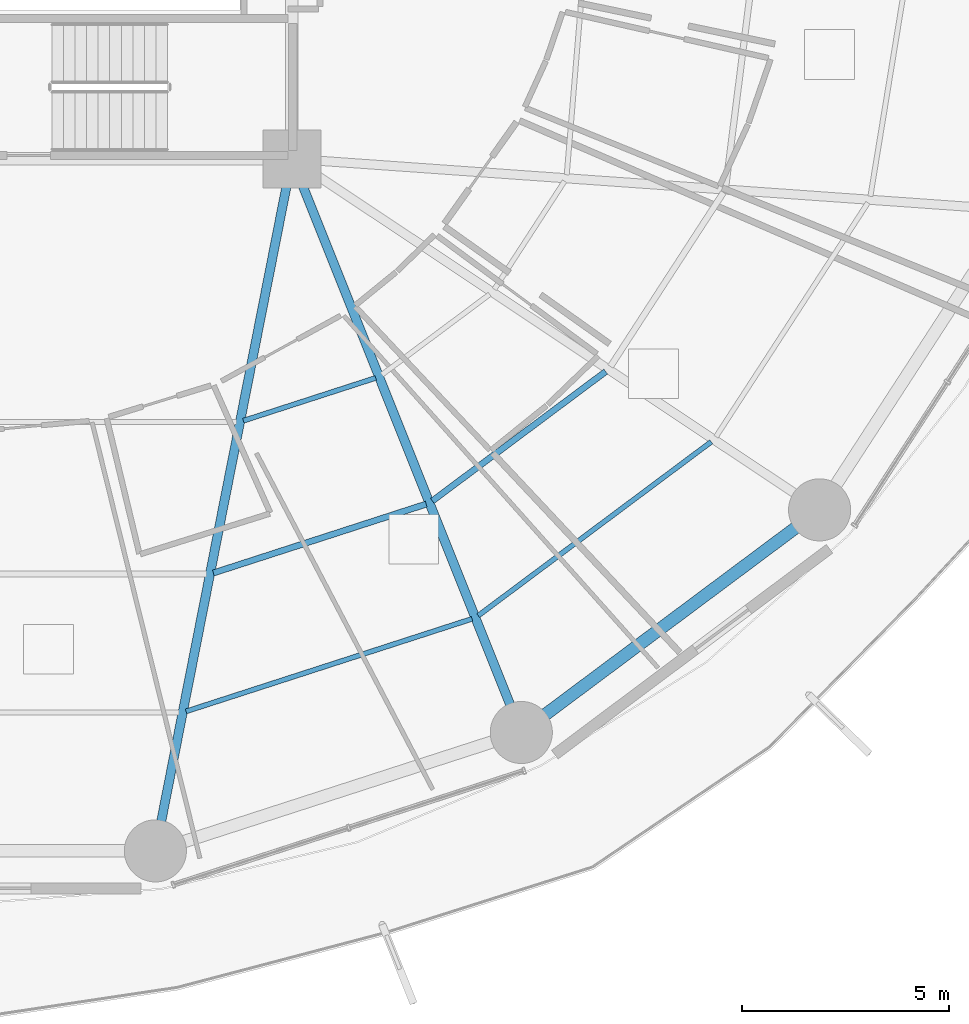
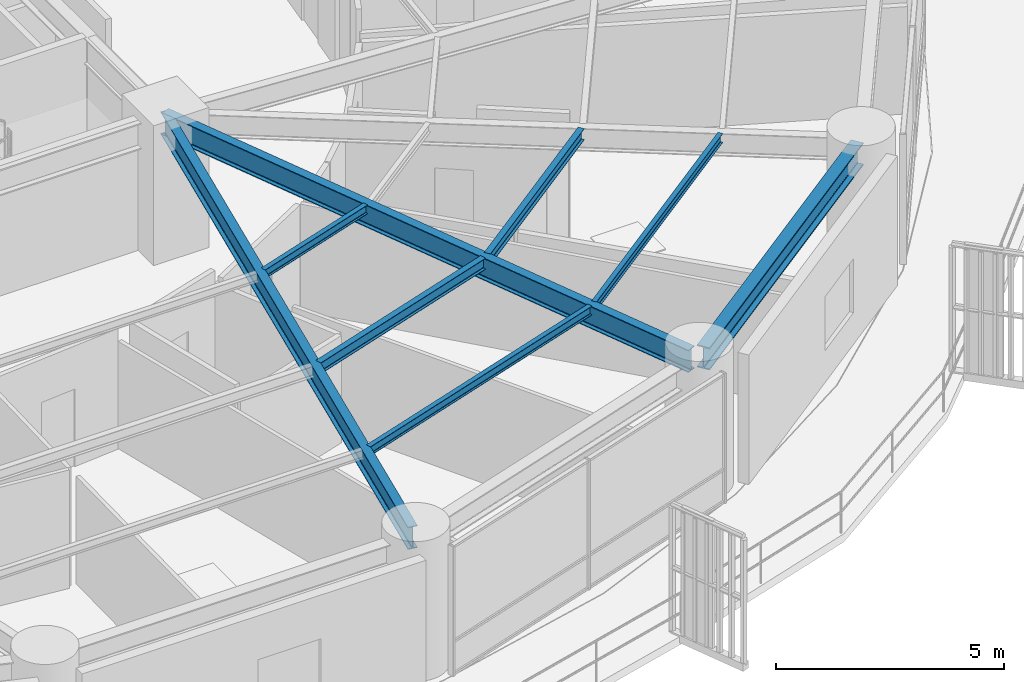
# One storey, part 9 of 33: 8 beams.
"""IFC4 building model written with IfcOpenShell, lengths in metres."""

import ifcopenshell
import ifcopenshell.guid

model = None  # the IFC model being written
_history = None  # IfcOwnerHistory: only IFC2X3 demands one
_inside = {}  # id of a spatial element -> (the spatial element, [elements in it])
_under = {}  # id of a project, library or spatial element -> (it, [spatial elements below it])
_declared = {}  # id of a project -> (the project, [libraries it declares])
_typed = {}  # id of a type object -> (the type object, [elements of that type])
_made_of = {}  # id of a material, layer set ... -> (it, [elements and type objects made of it])


def new_model(schema):
    """Start an empty IFC model of exactly this schema.

    Asked for "IFC4X3", IfcOpenShell would pick the latest addendum, in which some entities
    have other attributes; the version numbers below select the first issue.
    IFC2X3 requires an IfcOwnerHistory on every rooted entity: one is made here for all.
    """
    global model, _history
    if schema == "IFC4X3":
        model = ifcopenshell.file(schema_version=(4, 3, 0, 0))
    else:
        model = ifcopenshell.file(schema=schema)
    _inside.clear()
    _under.clear()
    _declared.clear()
    _typed.clear()
    _made_of.clear()
    _history = None
    if model.schema == "IFC2X3":
        org = make("IfcOrganization", Name="unknown")
        user = make(
            "IfcPersonAndOrganization",
            ThePerson=make("IfcPerson", FamilyName="unknown"),
            TheOrganization=org,
        )
        app = make(
            "IfcApplication",
            ApplicationDeveloper=org,
            Version="unknown",
            ApplicationFullName="unknown",
            ApplicationIdentifier="unknown",
        )
        _history = make(
            "IfcOwnerHistory",
            OwningUser=user,
            OwningApplication=app,
            ChangeAction="ADDED",
            CreationDate=0,
        )
    return model


def make(cls, **values):
    """One entity of the class cls with the attributes given. An attribute that is None is left unset."""
    return model.create_entity(
        cls, **{name: value for name, value in values.items() if value is not None}
    )


def rooted(cls, **values):
    """An entity with a GlobalId (a new one), such as an element, a storey or a relation."""
    return make(cls, GlobalId=ifcopenshell.guid.new(), OwnerHistory=_history, **values)


def si_unit(unit_type, name, prefix=None):
    """IfcSIUnit, for example si_unit("LENGTHUNIT", "METRE", prefix="MILLI")."""
    return make("IfcSIUnit", UnitType=unit_type, Prefix=prefix, Name=name)


def assignment(units):
    """IfcUnitAssignment: the units of a project."""
    return None if units is None else make("IfcUnitAssignment", Units=units)


def point(xyz):
    """IfcCartesianPoint."""
    return None if xyz is None else make("IfcCartesianPoint", Coordinates=xyz)


def direction(xyz):
    """IfcDirection."""
    return None if xyz is None else make("IfcDirection", DirectionRatios=xyz)


def frame(location, z_axis=None, x_axis=None):
    """IfcAxis2Placement3D, a coordinate frame: its origin and axes. An axis left out is left unset."""
    return make(
        "IfcAxis2Placement3D",
        Location=point(location),
        Axis=direction(z_axis),
        RefDirection=direction(x_axis),
    )


def frame_2d(location, x_axis=None):
    """IfcAxis2Placement2D, a coordinate frame in the plane: its origin and x axis."""
    return make(
        "IfcAxis2Placement2D", Location=point(location), RefDirection=direction(x_axis)
    )


def origin():
    """The frame at (0, 0, 0) with its axes left unset."""
    return frame((0.0, 0.0, 0.0))


def origin_2d():
    """The frame at (0, 0) in the plane with its x axis left unset."""
    return frame_2d((0.0, 0.0))


def place(relative_to, where):
    """IfcLocalPlacement: puts the frame where relative to a parent placement (None: the world)."""
    return make(
        "IfcLocalPlacement", PlacementRelTo=relative_to, RelativePlacement=where
    )


def context(
    kind, dimensions, precision=None, world=None, true_north=None, identifier=None
):
    """IfcGeometricRepresentationContext, for example the 3D "Model" context."""
    return make(
        "IfcGeometricRepresentationContext",
        ContextIdentifier=identifier,
        ContextType=kind,
        CoordinateSpaceDimension=dimensions,
        Precision=precision,
        WorldCoordinateSystem=world,
        TrueNorth=true_north,
    )


def subcontext(parent, identifier, kind, view, scale=None):
    """IfcGeometricRepresentationSubContext, for example "Body" below "Model"."""
    return make(
        "IfcGeometricRepresentationSubContext",
        ContextIdentifier=identifier,
        ContextType=kind,
        ParentContext=parent,
        TargetScale=scale,
        TargetView=view,
    )


def project(units=None, contexts=None):
    """IfcProject with its units and contexts."""
    return rooted(
        "IfcProject",
        Name="project",
        RepresentationContexts=contexts,
        UnitsInContext=assignment(units),
    )


def spatial(cls, under=None, at=None, **own):
    """A site, building, storey or space (cls), placed at a placement, below another one or the project."""
    s = rooted(cls, ObjectPlacement=at, **own)
    if under is not None:
        _under.setdefault(under.id(), (under, []))[1].append(s)
    return s


def profile(cls, at=None, kind="AREA", **sizes):
    """A parametric profile (cls). Its sizes go by their IFC names, for example OverallWidth=200.0."""
    return make(cls, ProfileType=kind, Position=at, **sizes)


def i_section(**sizes):
    """IfcIShapeProfileDef."""
    return profile("IfcIShapeProfileDef", **sizes)


def extrude(swept, where, along, depth):
    """IfcExtrudedAreaSolid: the profile swept, set in the frame where, extruded along a direction by depth."""
    return make(
        "IfcExtrudedAreaSolid",
        SweptArea=swept,
        Position=where,
        ExtrudedDirection=direction(along),
        Depth=depth,
    )


def shape(context_of_items, identifier, shape_type, items):
    """IfcShapeRepresentation: the items that make up one representation, for example the "Body"."""
    return make(
        "IfcShapeRepresentation",
        ContextOfItems=context_of_items,
        RepresentationIdentifier=identifier,
        RepresentationType=shape_type,
        Items=items,
    )


def material(Name=None, Category=None):
    """IfcMaterial."""
    return make("IfcMaterial", Name=Name, Category=Category)


def material_profile(
    of_material, cross_section, Name=None, Category=None, Priority=None
):
    """IfcMaterialProfile: a cross section and its material."""
    return make(
        "IfcMaterialProfile",
        Name=Name,
        Material=of_material,
        Profile=cross_section,
        Priority=Priority,
        Category=Category,
    )


def profile_set(profiles, Name=None, composite=None):
    """IfcMaterialProfileSet."""
    return make(
        "IfcMaterialProfileSet",
        Name=Name,
        MaterialProfiles=profiles,
        CompositeProfile=composite,
    )


def made_of(thing, what):
    """Note that an element or type object is made of a material, layer set ...; save() writes the relation."""
    if what is not None:
        _made_of.setdefault(what.id(), (what, []))[1].append(thing)
    return thing


def type_object(cls, material=None, **own):
    """A type object (cls), such as IfcWallType, which elements share."""
    return made_of(rooted(cls, **own), material)


def element(
    cls,
    number,
    at=None,
    inside=None,
    cuts=None,
    type_object=None,
    material=None,
    context=None,
    identifier="Body",
    shape_type=None,
    held_by="IfcProductDefinitionShape",
    body=None,
    shapes=None,
    **own,
):
    """One element of the class cls, such as IfcWall. Its Tag is "e" and its number.

    at: its placement. inside: the storey or other place that contains it. cuts: it is an
    opening in that element (IfcRelVoidsElement). A single representation is given by context,
    identifier, shape_type and body (its items); several are given by shapes. held_by: the class
    of the entity that holds the representations. save() writes the other relations.
    """
    e = rooted(cls, Tag="e%d" % number, ObjectPlacement=at, **own)
    if body is not None:
        shapes = [shape(context, identifier, shape_type, body)]
    if shapes is not None:
        e.Representation = make(held_by, Representations=shapes)
    if inside is not None:
        _inside.setdefault(inside.id(), (inside, []))[1].append(e)
    if cuts is not None:
        rooted(
            "IfcRelVoidsElement", RelatingBuildingElement=cuts, RelatedOpeningElement=e
        )
    if type_object is not None:
        _typed.setdefault(type_object.id(), (type_object, []))[1].append(e)
    return made_of(e, material)


def aggregate(whole, parts):
    """IfcRelAggregates: a whole, such as a stair, and the parts it consists of."""
    return rooted("IfcRelAggregates", RelatingObject=whole, RelatedObjects=parts)


def save(model, path):
    """Write the relations noted so far, then the file.

    IfcRelAggregates (storeys below a building ...), IfcRelContainedInSpatialStructure (elements
    in a storey), IfcRelDefinesByType, IfcRelAssociatesMaterial and IfcRelDeclares: one each for
    every whole, place, type object, material and project.
    """
    for whole, parts in _under.values():
        aggregate(whole, parts)
    for where, things in _inside.values():
        rooted(
            "IfcRelContainedInSpatialStructure",
            RelatedElements=things,
            RelatingStructure=where,
        )
    for kind, things in _typed.values():
        rooted("IfcRelDefinesByType", RelatedObjects=things, RelatingType=kind)
    for what, things in _made_of.values():
        rooted("IfcRelAssociatesMaterial", RelatedObjects=things, RelatingMaterial=what)
    for by, libraries in _declared.values():
        rooted("IfcRelDeclares", RelatingContext=by, RelatedDefinitions=libraries)
    model.write(path)


model = new_model("IFC4")

# Units and contexts
model_context = context("Model", 3, precision=1e-05, world=origin(), true_north=direction((0.0, 1.0)))
body_context = subcontext(model_context, "Body", "Model", "MODEL_VIEW")
ifc_project = project(units=[si_unit("LENGTHUNIT", "METRE"), si_unit("AREAUNIT", "SQUARE_METRE"), si_unit("VOLUMEUNIT", "CUBIC_METRE"), si_unit("PLANEANGLEUNIT", "RADIAN"), si_unit("MASSUNIT", "GRAM", prefix="KILO")], contexts=[model_context])

# Site, building, storey
site_placement = place(None, origin())
site = spatial("IfcSite", under=ifc_project, at=site_placement, CompositionType="ELEMENT")
building_placement = place(site_placement, origin())
building = spatial("IfcBuilding", under=site, at=building_placement, Name="Kelanora Arch Commons", CompositionType="ELEMENT")
storey_placement = place(building_placement, frame((0.0, 0.0, 26.25)))
storey = spatial("IfcBuildingStorey", under=building, at=storey_placement, Name="L06", CompositionType="ELEMENT", Elevation=26.25)

# Beams
ifc_material = material(Name="Steel S355", Category="steel")
ifc_material_profile_1 = material_profile(ifc_material, i_section(OverallWidth=0.14990234375, OverallDepth=0.300048828125, WebThickness=0.007080078125, FlangeThickness=0.0107421875, FilletRadius=0.014892578125, at=origin_2d()), Name="IPE300")
ifc_profile_set_1 = profile_set([ifc_material_profile_1], Name="Steel S355")
beam_type_1 = type_object("IfcBeamType", Name="BM-JST-01", PredefinedType="JOIST", material=ifc_profile_set_1)
beam_1_placement = place(storey_placement, frame((80.102294921875, 40.997802734375, 3.340087890625), z_axis=(0.951412209627, 0.307920131482, 0.0), x_axis=(-0.307920131482, 0.951412209627, 0.0)))
element("IfcBeam", 1, at=beam_1_placement, inside=storey, type_object=beam_type_1, Name="Secondary Chord Joist BJB-28 L06", PredefinedType="JOIST", context=body_context, shape_type="SweptSolid", body=[
    extrude(i_section(OverallWidth=0.14990234375, OverallDepth=0.300048828125, WebThickness=0.007080078125, FlangeThickness=0.0107421875, FilletRadius=0.014892578125, at=origin_2d()), origin(), (0.0, 0.0, 1.0), 5.4033203125),
])
beam_2_placement = place(storey_placement, frame((85.39208984375, 42.738525390625, 3.340087890625), z_axis=(0.801478251559, 0.598023922831, 0.0), x_axis=(-0.598023922831, 0.801478251559, 0.0)))
element("IfcBeam", 2, at=beam_2_placement, inside=storey, type_object=beam_type_1, Name="Secondary Chord Joist BJB-30 L06", PredefinedType="JOIST", context=body_context, shape_type="SweptSolid", body=[
    extrude(i_section(OverallWidth=0.14990234375, OverallDepth=0.300048828125, WebThickness=0.007080078125, FlangeThickness=0.0107421875, FilletRadius=0.014892578125, at=origin_2d()), origin(), (0.0, 0.0, 1.0), 5.223388671875),
])
ifc_material_profile_2 = material_profile(ifc_material, i_section(OverallWidth=0.1201171875, OverallDepth=0.239990234375, WebThickness=0.006103515625, FlangeThickness=0.009765625, FilletRadius=0.014892578125, at=origin_2d()), Name="IPE240")
ifc_profile_set_2 = profile_set([ifc_material_profile_2], Name="Steel S355")
beam_type_2 = type_object("IfcBeamType", Name="BM-JST-02", PredefinedType="JOIST", material=ifc_profile_set_2)
beam_3_placement = place(storey_placement, frame((80.827880859375, 44.6748046875, 3.3701171875), z_axis=(0.951422608074, 0.30788800049, 0.0), x_axis=(-0.30788800049, 0.951422608074, 0.0)))
element("IfcBeam", 3, at=beam_3_placement, inside=storey, type_object=beam_type_2, Name="Secondary Chord Joist BJA-28 L06", PredefinedType="JOIST", context=body_context, shape_type="SweptSolid", body=[
    extrude(i_section(OverallWidth=0.1201171875, OverallDepth=0.239990234375, WebThickness=0.006103515625, FlangeThickness=0.009765625, FilletRadius=0.014892578125, at=origin_2d()), origin(), (0.0, 0.0, 1.0), 3.359619140625),
])
beam_4_placement = place(storey_placement, frame((79.44287109375, 37.65478515625, 3.3701171875), z_axis=(0.951410915705, 0.307924129418, 0.0), x_axis=(-0.307924129418, 0.951410915705, 0.0)))
element("IfcBeam", 4, at=beam_4_placement, inside=storey, type_object=beam_type_2, Name="Secondary Chord Joist BJC-28 L06", PredefinedType="JOIST", context=body_context, shape_type="SweptSolid", body=[
    extrude(i_section(OverallWidth=0.1201171875, OverallDepth=0.239990234375, WebThickness=0.006103515625, FlangeThickness=0.009765625, FilletRadius=0.014892578125, at=origin_2d()), origin(), (0.0, 0.0, 1.0), 7.260986328125),
])
beam_5_placement = place(storey_placement, frame((86.5, 39.9677734375, 3.3701171875), z_axis=(0.80149131963, 0.598006408459, 0.0), x_axis=(-0.598006408459, 0.80149131963, 0.0)))
element("IfcBeam", 5, at=beam_5_placement, inside=storey, type_object=beam_type_2, Name="Secondary Chord Joist BJC-30 L06", PredefinedType="JOIST", context=body_context, shape_type="SweptSolid", body=[
    extrude(i_section(OverallWidth=0.1201171875, OverallDepth=0.239990234375, WebThickness=0.006103515625, FlangeThickness=0.009765625, FilletRadius=0.014892578125, at=origin_2d()), origin(), (0.0, 0.0, 1.0), 7.021240234375),
])
ifc_material_profile_3 = material_profile(ifc_material, i_section(OverallWidth=0.219970703125, OverallDepth=0.60009765625, WebThickness=0.011962890625, FlangeThickness=0.01904296875, FilletRadius=0.02392578125, at=origin_2d()), Name="IPE600")
ifc_profile_set_3 = profile_set([ifc_material_profile_3], Name="Steel S355")
beam_type_3 = type_object("IfcBeamType", Name="BM-RAD-Z1", PredefinedType="BEAM", material=ifc_profile_set_3)
beam_6_placement = place(storey_placement, frame((82.0, 51.0, 3.18994140625), z_axis=(-0.193555256292, -0.981089375522, 0.0), x_axis=(0.981089375522, -0.193555256292, 0.0)))
element("IfcBeam", 6, at=beam_6_placement, inside=storey, type_object=beam_type_3, Name="Radial Floor Girder BR-28 L06", PredefinedType="BEAM", context=body_context, shape_type="SweptSolid", body=[
    extrude(i_section(OverallWidth=0.219970703125, OverallDepth=0.60009765625, WebThickness=0.011962890625, FlangeThickness=0.01904296875, FilletRadius=0.02392578125, at=origin_2d()), origin(), (0.0, 0.0, 1.0), 16.81640625),
])
beam_7_placement = place(storey_placement, frame((82.0, 51.0, 3.18994140625), z_axis=(0.371296182896, -0.928514482691, 0.0), x_axis=(0.928514482691, 0.371296182896, 0.0)))
element("IfcBeam", 7, at=beam_7_placement, inside=storey, type_object=beam_type_3, Name="Radial Floor Girder BR-30 L06", PredefinedType="BEAM", context=body_context, shape_type="SweptSolid", body=[
    extrude(i_section(OverallWidth=0.219970703125, OverallDepth=0.60009765625, WebThickness=0.011962890625, FlangeThickness=0.01904296875, FilletRadius=0.02392578125, at=origin_2d()), origin(), (0.0, 0.0, 1.0), 14.700439453125),
])
ifc_material_profile_4 = material_profile(ifc_material, i_section(OverallWidth=0.300048828125, OverallDepth=0.60009765625, WebThickness=0.015380859375, FlangeThickness=0.030029296875, FilletRadius=0.027099609375, at=origin_2d()), Name="HEB600")
ifc_profile_set_4 = profile_set([ifc_material_profile_4], Name="Steel S355")
beam_type_4 = type_object("IfcBeamType", Name="BM-SPN-Z1", PredefinedType="SPANDREL", material=ifc_profile_set_4)
beam_8_placement = place(storey_placement, frame((87.71630859375, 37.277587890625, 3.18994140625), z_axis=(0.801474585329, 0.598028836322, 0.0), x_axis=(-0.598028836322, 0.801474585329, 0.0)))
element("IfcBeam", 8, at=beam_8_placement, inside=storey, type_object=beam_type_4, Name="Perimeter Spandrel Beam BS-30 L06", PredefinedType="SPANDREL", context=body_context, shape_type="SweptSolid", body=[
    extrude(i_section(OverallWidth=0.300048828125, OverallDepth=0.60009765625, WebThickness=0.015380859375, FlangeThickness=0.030029296875, FilletRadius=0.027099609375, at=origin_2d()), origin(), (0.0, 0.0, 1.0), 8.549072265625),
])

save(model, "model.ifc")
